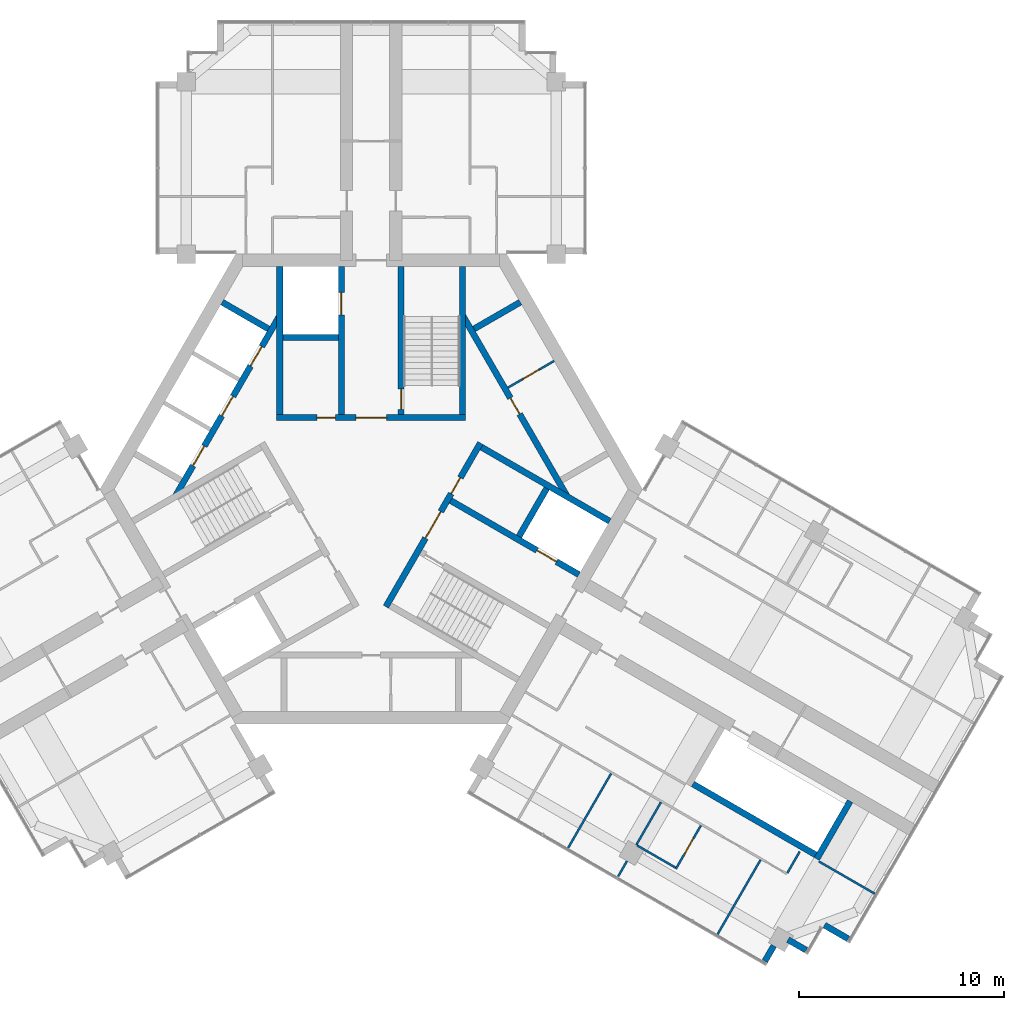
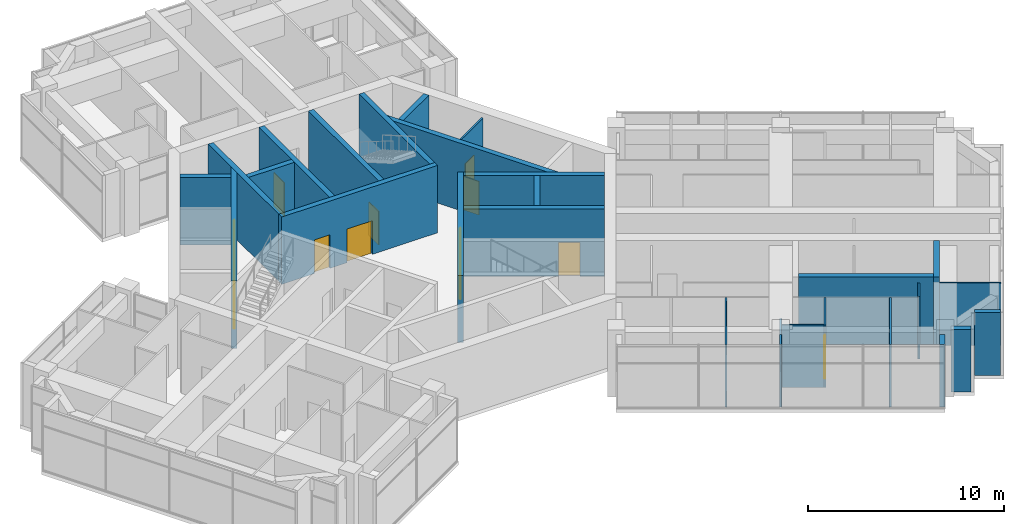
# One storey, part 10 of 14: 28 walls, 13 doors, 13 openings.
"""IFC4 building model written with IfcOpenShell, lengths in metres."""

from ifc_helpers import new_model, si_unit, direction, frame, frame_2d, origin, place, context, subcontext, project, spatial, rectangle, extrude, material, layer, layer_set, type_object, element, fill, save


model = new_model("IFC4")

# Units and contexts
model_context = context("Model", 3, precision=1e-05, world=origin(), true_north=direction((0.0, 1.0)))
body_context = subcontext(model_context, "Body", "Model", "MODEL_VIEW")
ifc_project = project(units=[si_unit("LENGTHUNIT", "METRE"), si_unit("AREAUNIT", "SQUARE_METRE"), si_unit("VOLUMEUNIT", "CUBIC_METRE"), si_unit("PLANEANGLEUNIT", "RADIAN"), si_unit("MASSUNIT", "GRAM", prefix="KILO")], contexts=[model_context])

# Site, building, storey
site_placement = place(None, origin())
site = spatial("IfcSite", under=ifc_project, at=site_placement, CompositionType="ELEMENT")
building_placement = place(site_placement, origin())
building = spatial("IfcBuilding", under=site, at=building_placement, Name="Impinga Residences", CompositionType="ELEMENT")
storey_placement = place(building_placement, frame((0.0, 0.0, 291.550048828125)))
storey = spatial("IfcBuildingStorey", under=building, at=storey_placement, Name="L73", CompositionType="ELEMENT", Elevation=291.550048828125)

# Wall, opening, door
ifc_material_1 = material(Name="Concrete blockwork", Category="masonry")
ifc_layer_1 = layer(ifc_material_1, 0.10009765625)
ifc_layer_set_1 = layer_set([ifc_layer_1], Name="CP1 core room partition, blockwork 100")
wall_type_1 = type_object("IfcWallType", Name="CP1 core room partition, blockwork 100", PredefinedType="PARTITIONING", material=ifc_layer_set_1)
wall_1_placement = place(storey_placement, frame((6.65380859375, 4.9384765625, 0.0), z_axis=(0.0, 0.0, 1.0), x_axis=(0.865997922154, 0.500047596559, 0.0)))
wall_1 = element("IfcWall", 1, at=wall_1_placement, inside=storey, type_object=wall_type_1, Name="Core room partition, blockwork L73:CORE:mid:ZP1", PredefinedType="PARTITIONING", context=body_context, shape_type="SweptSolid", body=[
    extrude(rectangle(XDim=2.599853515625, YDim=0.10009765625, at=frame_2d((1.2998046875, 0.0))), origin(), (0.0, 0.0, 1.0), 3.89990234375),
])
opening_1_placement = place(wall_1_placement, frame((0.85009765625, 0.0, 0.0)))
opening_1 = element("IfcOpeningElement", 2, at=opening_1_placement, cuts=wall_1, Name="Opening D6", PredefinedType="OPENING", context=body_context, shape_type="SweptSolid", body=[
    extrude(rectangle(XDim=0.89990234375, YDim=2.10009765625, at=frame_2d((0.449951171875, 1.050048828125))), frame((0.0, 0.06005859375, 0.0), z_axis=(0.0, -1.0, 0.0), x_axis=(1.0, 0.0, 0.0)), (0.0, 0.0, 1.0), 0.1201171875),
])
ifc_material_2 = material(Name="Timber door set", Category="wood")
door_type_1 = type_object("IfcDoorType", Name="D6 riser and store door 900x2100", OperationType="SINGLE_SWING_LEFT", PredefinedType="DOOR", material=ifc_material_2)
door_1_placement = place(opening_1_placement, origin())
door_1 = element("IfcDoor", 3, at=door_1_placement, inside=storey, type_object=door_type_1, Name="Cleaners' store door", OperationType="SINGLE_SWING_LEFT", OverallHeight=2.10009765625, OverallWidth=0.89990234375, PredefinedType="DOOR", context=body_context, shape_type="SweptSolid", body=[
    extrude(rectangle(XDim=0.89990234375, YDim=2.10009765625, at=frame_2d((0.449951171875, 1.050048828125))), frame((0.0, 0.02490234375, 0.0), z_axis=(0.0, -1.0, 0.0), x_axis=(1.0, 0.0, 0.0)), (0.0, 0.0, 1.0), 0.050048828125),
])
fill(opening_1, door_1)

# Walls
ifc_material_3 = material(Name="Stone facing on blockwork", Category="masonry")
ifc_layer_2 = layer(ifc_material_3, 0.300048828125)
ifc_layer_set_2 = layer_set([ifc_layer_2], Name="EW2 external wall, stone facing on blockwork 300")
wall_type_2 = type_object("IfcWallType", Name="EW2 external wall, stone facing on blockwork 300", PredefinedType="SOLIDWALL", material=ifc_layer_set_2)
wall_2_placement = place(storey_placement, frame((23.212158203125, -21.888671875, 0.0), z_axis=(0.0, 0.0, 1.0), x_axis=(-0.866020521143, 0.500008456887, 0.0)))
element("IfcWall", 4, at=wall_2_placement, inside=storey, type_object=wall_type_2, Name="External wall EW2 L73", PredefinedType="SOLIDWALL", context=body_context, shape_type="SweptSolid", body=[
    extrude(rectangle(XDim=1.330078125, YDim=0.300048828125, at=frame_2d((0.6650390625, 0.0))), origin(), (0.0, 0.0, 1.0), 3.89990234375),
])
wall_3_placement = place(storey_placement, frame((21.1630859375, -22.4375, 0.0), z_axis=(0.0, 0.0, 1.0), x_axis=(-0.866133525259, 0.499812681335, 0.0)))
element("IfcWall", 5, at=wall_3_placement, inside=storey, type_object=wall_type_2, Name="External wall EW2 L73", PredefinedType="SOLIDWALL", context=body_context, shape_type="SweptSolid", body=[
    extrude(rectangle(XDim=1.01513671875, YDim=0.300048828125, at=frame_2d((0.507568359375, 0.0))), origin(), (0.0, 0.0, 1.0), 3.89990234375),
])
wall_4_placement = place(storey_placement, frame((19.5927734375, -22.227294921875, 0.0), z_axis=(0.0, 0.0, 1.0), x_axis=(-0.499885902046, -0.866091268248, 0.0)))
element("IfcWall", 6, at=wall_4_placement, inside=storey, type_object=wall_type_2, Name="External wall EW2 L73", PredefinedType="SOLIDWALL", context=body_context, shape_type="SweptSolid", body=[
    extrude(rectangle(XDim=0.862060546875, YDim=0.300048828125, at=frame_2d((0.43115234375, 0.0))), origin(), (0.0, 0.0, 1.0), 3.89990234375),
])
ifc_material_4 = material(Name="Gypsum board on steel studs", Category="steel")
ifc_layer_3 = layer(ifc_material_4, 0.10009765625)
ifc_layer_set_3 = layer_set([ifc_layer_3], Name="Gypsum board on steel studs")
wall_type_3 = type_object("IfcWallType", Name="IP1 partition 100", PredefinedType="PARTITIONING", material=ifc_layer_set_3)
wall_5_placement = place(storey_placement, frame((21.789306640625, -18.122802734375, 0.0), z_axis=(0.0, 0.0, 1.0), x_axis=(0.8660508054, -0.499956000529, 0.0)))
element("IfcWall", 7, at=wall_5_placement, inside=storey, type_object=wall_type_3, Name="Partition L73-EF1:DIV2", PredefinedType="PARTITIONING", context=body_context, shape_type="SweptSolid", body=[
    extrude(rectangle(XDim=3.136962890625, YDim=0.10009765625, at=frame_2d((1.568359375, 0.0))), origin(), (0.0, 0.0, 1.0), 3.89990234375),
])
wall_6_placement = place(storey_placement, frame((20.85498046875, -17.640869140625, 0.0), z_axis=(0.0, 0.0, 1.0), x_axis=(-0.499880961361, -0.866094119867, 0.0)))
element("IfcWall", 8, at=wall_6_placement, inside=storey, type_object=wall_type_3, Name="Partition L73-EF1:SE1", PredefinedType="PARTITIONING", context=body_context, shape_type="SweptSolid", body=[
    extrude(rectangle(XDim=1.199951171875, YDim=0.10009765625, at=frame_2d((0.60009765625, 0.0))), origin(), (0.0, 0.0, 1.0), 3.89990234375),
])
wall_7_placement = place(storey_placement, frame((11.6748046875, -13.841796875, 0.0), z_axis=(0.0, 0.0, 1.0), x_axis=(-0.500008475426, -0.86602051044, 0.0)))
element("IfcWall", 9, at=wall_7_placement, inside=storey, type_object=wall_type_3, Name="Partition L73-EF1:OB2", PredefinedType="PARTITIONING", context=body_context, shape_type="SweptSolid", body=[
    extrude(rectangle(XDim=4.18701171875, YDim=0.10009765625, at=frame_2d((2.093505859375, 0.0))), origin(), (0.0, 0.0, 1.0), 3.89990234375),
])
wall_8_placement = place(storey_placement, frame((14.099609375, -15.241943359375, 0.0), z_axis=(0.0, 0.0, 1.0), x_axis=(-0.500001309137, -0.866024647952, 0.0)))
element("IfcWall", 10, at=wall_8_placement, inside=storey, type_object=wall_type_3, Name="Partition L73-EF1:OB3", PredefinedType="PARTITIONING", context=body_context, shape_type="SweptSolid", body=[
    extrude(rectangle(XDim=2.39990234375, YDim=0.10009765625, at=frame_2d((1.199951171875, 0.0))), origin(), (0.0, 0.0, 1.0), 2.599853515625),
])
wall_9_placement = place(storey_placement, frame((12.44970703125, -18.099609375, 0.0), z_axis=(0.0, 0.0, 1.0), x_axis=(-0.500014901547, -0.866016800201, 0.0)))
element("IfcWall", 11, at=wall_9_placement, inside=storey, type_object=wall_type_3, Name="Partition L73-EF1:OB3b", PredefinedType="PARTITIONING", context=body_context, shape_type="SweptSolid", body=[
    extrude(rectangle(XDim=0.8671875, YDim=0.10009765625, at=frame_2d((0.43359375, 0.0))), origin(), (0.0, 0.0, 1.0), 3.89990234375),
])
wall_10_placement = place(storey_placement, frame((18.949462890625, -18.041748046875, 0.0), z_axis=(0.0, 0.0, 1.0), x_axis=(-0.499983227221, -0.866035087336, 0.0)))
element("IfcWall", 12, at=wall_10_placement, inside=storey, type_object=wall_type_3, Name="Partition L73-EF1:OB4", PredefinedType="PARTITIONING", context=body_context, shape_type="SweptSolid", body=[
    extrude(rectangle(XDim=4.187255859375, YDim=0.10009765625, at=frame_2d((2.09375, 0.0))), origin(), (0.0, 0.0, 1.0), 3.89990234375),
])

# Wall, opening, door
wall_11_placement = place(storey_placement, frame((16.048095703125, -16.366943359375, 0.0), z_axis=(0.0, 0.0, 1.0), x_axis=(-0.499987006516, -0.866032905446, 0.0)))
wall_11 = element("IfcWall", 13, at=wall_11_placement, inside=storey, type_object=wall_type_3, Name="Partition L73-EF1:EN1", PredefinedType="PARTITIONING", context=body_context, shape_type="SweptSolid", body=[
    extrude(rectangle(XDim=2.44970703125, YDim=0.10009765625, at=frame_2d((1.224853515625, 0.0))), origin(), (0.0, 0.0, 1.0), 3.89990234375),
])
opening_2_placement = place(wall_11_placement, frame((0.75, 0.0, 0.0)))
opening_2 = element("IfcOpeningElement", 14, at=opening_2_placement, cuts=wall_11, Name="Opening D2", PredefinedType="OPENING", context=body_context, shape_type="SweptSolid", body=[
    extrude(rectangle(XDim=0.89990234375, YDim=2.10009765625, at=frame_2d((0.449951171875, 1.050048828125))), frame((0.0, 0.06005859375, 0.0), z_axis=(0.0, -1.0, 0.0), x_axis=(1.0, 0.0, 0.0)), (0.0, 0.0, 1.0), 0.1201171875),
])
door_type_2 = type_object("IfcDoorType", Name="D2 internal door 900x2100", OperationType="SINGLE_SWING_LEFT", PredefinedType="DOOR", material=ifc_material_2)
door_2_placement = place(opening_2_placement, origin())
door_2 = element("IfcDoor", 15, at=door_2_placement, inside=storey, type_object=door_type_2, Name="Apartment L73-EF1 en-suite door", OperationType="SINGLE_SWING_LEFT", OverallHeight=2.10009765625, OverallWidth=0.89990234375, PredefinedType="DOOR", context=body_context, shape_type="SweptSolid", body=[
    extrude(rectangle(XDim=0.89990234375, YDim=2.10009765625, at=frame_2d((0.449951171875, 1.050048828125))), frame((0.0, 0.02490234375, 0.0), z_axis=(0.0, -1.0, 0.0), x_axis=(1.0, 0.0, 0.0)), (0.0, 0.0, 1.0), 0.050048828125),
])
fill(opening_2, door_2)

# Walls
wall_12_placement = place(storey_placement, frame((12.94287109375, -17.34521484375, 0.0), z_axis=(0.0, 0.0, 1.0), x_axis=(0.866047553582, -0.499961633463, 0.0)))
element("IfcWall", 16, at=wall_12_placement, inside=storey, type_object=wall_type_3, Name="Partition L73-EF1:EN2", PredefinedType="PARTITIONING", context=body_context, shape_type="SweptSolid", body=[
    extrude(rectangle(XDim=2.150146484375, YDim=0.10009765625, at=frame_2d((1.0751953125, 0.0))), origin(), (0.0, 0.0, 1.0), 3.89990234375),
])
ifc_material_5 = material(Name="Concrete C60/75", Category="concrete")
ifc_layer_4 = layer(ifc_material_5, 0.300048828125)
ifc_layer_set_4 = layer_set([ifc_layer_4], Name="Concrete C60/75")
wall_type_4 = type_object("IfcWallType", Name="SE1 wing stair enclosure wall 300", PredefinedType="SOLIDWALL", material=ifc_layer_set_4)
wall_13_placement = place(storey_placement, frame((23.3095703125, -15.189697265625, 0.0), z_axis=(0.0, 0.0, 1.0), x_axis=(-0.499984717929, -0.866034226713, 0.0)))
element("IfcWall", 17, at=wall_13_placement, inside=storey, type_object=wall_type_4, Name="Stair enclosure wall SE1 E END1 L73", PredefinedType="SOLIDWALL", context=body_context, shape_type="SweptSolid", body=[
    extrude(rectangle(XDim=3.25, YDim=0.300048828125, at=frame_2d((1.625, 0.0))), origin(), (0.0, 0.0, 1.0), 4.199951171875),
])
wall_14_placement = place(storey_placement, frame((15.654052734375, -14.349365234375, 0.0), z_axis=(0.0, 0.0, 1.0), x_axis=(0.866013532718, -0.500020560727, 0.0)))
element("IfcWall", 18, at=wall_14_placement, inside=storey, type_object=wall_type_4, Name="Stair enclosure wall SE1 E OUT L73", PredefinedType="SOLIDWALL", context=body_context, shape_type="SweptSolid", body=[
    extrude(rectangle(XDim=6.900146484375, YDim=0.300048828125, at=frame_2d((3.4501953125, 0.0))), origin(), (0.0, 0.0, 1.0), 4.199951171875),
])

# Wall, openings, doors
ifc_material_6 = material(Name="Concrete C70/85", Category="concrete")
ifc_layer_5 = layer(ifc_material_6, 0.300048828125)
ifc_layer_set_5 = layer_set([ifc_layer_5], Name="Concrete C70/85")
wall_type_5 = type_object("IfcWallType", Name="SW5 core inner wall, stairs, shafts and lobbies 300", PredefinedType="SHEAR", material=ifc_layer_set_5)
wall_15_placement = place(storey_placement, frame((-4.60009765625, 3.47998046875, 0.0), z_axis=(0.0, 0.0, 1.0), x_axis=(1.0, 0.0, 0.0)))
wall_15 = element("IfcWall", 19, at=wall_15_placement, inside=storey, type_object=wall_type_5, Name="Core wall SW5 N:ZONE L73", PredefinedType="SHEAR", context=body_context, shape_type="SweptSolid", body=[
    extrude(rectangle(XDim=9.2001953125, YDim=0.300048828125, at=frame_2d((4.60009765625, 0.0))), origin(), (0.0, 0.0, 1.0), 4.199951171875),
])
opening_3_placement = place(wall_15_placement, frame((3.85009765625, 0.0, 0.0)))
opening_3 = element("IfcOpeningElement", 20, at=opening_3_placement, cuts=wall_15, Name="Opening D4", PredefinedType="OPENING", context=body_context, shape_type="SweptSolid", body=[
    extrude(rectangle(XDim=1.5, YDim=2.10009765625, at=frame_2d((0.75, 1.050048828125))), frame((0.0, 0.159912109375, 0.0), z_axis=(0.0, -1.0, 0.0), x_axis=(1.0, 0.0, 0.0)), (0.0, 0.0, 1.0), 0.320068359375),
])
opening_4_placement = place(wall_15_placement, frame((1.949951171875, 0.0, 0.0)))
opening_4 = element("IfcOpeningElement", 21, at=opening_4_placement, cuts=wall_15, Name="Opening D6", PredefinedType="OPENING", context=body_context, shape_type="SweptSolid", body=[
    extrude(rectangle(XDim=0.89990234375, YDim=2.10009765625, at=frame_2d((0.449951171875, 1.050048828125))), frame((0.0, 0.159912109375, 0.0), z_axis=(0.0, -1.0, 0.0), x_axis=(1.0, 0.0, 0.0)), (0.0, 0.0, 1.0), 0.320068359375),
])
door_type_3 = type_object("IfcDoorType", Name="D4 lobby door pair 1500x2100", OperationType="DOUBLE_DOOR_DOUBLE_SWING", PredefinedType="DOOR", material=ifc_material_2)
door_3_placement = place(opening_3_placement, origin())
door_3 = element("IfcDoor", 22, at=door_3_placement, inside=storey, type_object=door_type_3, Name="Firefighting lobby door N", OperationType="DOUBLE_DOOR_DOUBLE_SWING", OverallHeight=2.10009765625, OverallWidth=1.5, PredefinedType="DOOR", context=body_context, shape_type="SweptSolid", body=[
    extrude(rectangle(XDim=1.5, YDim=2.10009765625, at=frame_2d((0.75, 1.050048828125))), frame((0.0, 0.02490234375, 0.0), z_axis=(0.0, -1.0, 0.0), x_axis=(1.0, 0.0, 0.0)), (0.0, 0.0, 1.0), 0.050048828125),
])
fill(opening_3, door_3)
door_4_placement = place(opening_4_placement, origin())
door_4 = element("IfcDoor", 23, at=door_4_placement, inside=storey, type_object=door_type_1, Name="Riser door N", OperationType="SINGLE_SWING_LEFT", OverallHeight=2.10009765625, OverallWidth=0.89990234375, PredefinedType="DOOR", context=body_context, shape_type="SweptSolid", body=[
    extrude(rectangle(XDim=0.89990234375, YDim=2.10009765625, at=frame_2d((0.449951171875, 1.050048828125))), frame((0.0, 0.02490234375, 0.0), z_axis=(0.0, -1.0, 0.0), x_axis=(1.0, 0.0, 0.0)), (0.0, 0.0, 1.0), 0.050048828125),
])
fill(opening_4, door_4)

# Wall, opening, door
wall_16_placement = place(storey_placement, frame((1.449951171875, 3.6298828125, 0.0), z_axis=(0.0, 0.0, 1.0), x_axis=(0.0, 1.0, 0.0)))
wall_16 = element("IfcWall", 24, at=wall_16_placement, inside=storey, type_object=wall_type_5, Name="Core wall SW5 N:ST-IN L73", PredefinedType="SHEAR", context=body_context, shape_type="SweptSolid", body=[
    extrude(rectangle(XDim=7.20166015625, YDim=0.300048828125, at=frame_2d((3.600830078125, 0.0))), origin(), (0.0, 0.0, 1.0), 4.199951171875),
])
opening_5_placement = place(wall_16_placement, frame((0.25, 0.0, 0.0)))
opening_5 = element("IfcOpeningElement", 25, at=opening_5_placement, cuts=wall_16, Name="Opening D5", PredefinedType="OPENING", context=body_context, shape_type="SweptSolid", body=[
    extrude(rectangle(XDim=1.0, YDim=2.10009765625, at=frame_2d((0.5, 1.050048828125))), frame((0.0, 0.159912109375, 0.0), z_axis=(0.0, -1.0, 0.0), x_axis=(1.0, 0.0, 0.0)), (0.0, 0.0, 1.0), 0.320068359375),
])
door_type_4 = type_object("IfcDoorType", Name="D5 stair door 1000x2100", OperationType="SINGLE_SWING_LEFT", PredefinedType="DOOR", material=ifc_material_2)
door_5_placement = place(opening_5_placement, origin())
door_5 = element("IfcDoor", 26, at=door_5_placement, inside=storey, type_object=door_type_4, Name="Stair door N", OperationType="SINGLE_SWING_LEFT", OverallHeight=2.10009765625, OverallWidth=1.0, PredefinedType="DOOR", context=body_context, shape_type="SweptSolid", body=[
    extrude(rectangle(XDim=1.0, YDim=2.10009765625, at=frame_2d((0.5, 1.050048828125))), frame((0.0, 0.02490234375, 0.0), z_axis=(0.0, -1.0, 0.0), x_axis=(1.0, 0.0, 0.0)), (0.0, 0.0, 1.0), 0.050048828125),
])
fill(opening_5, door_5)

# Wall
wall_17_placement = place(storey_placement, frame((4.449951171875, 3.6298828125, 0.0), z_axis=(0.0, 0.0, 1.0), x_axis=(0.0, 1.0, 0.0)))
element("IfcWall", 27, at=wall_17_placement, inside=storey, type_object=wall_type_5, Name="Core wall SW5 N:ST-OUT L73", PredefinedType="SHEAR", context=body_context, shape_type="SweptSolid", body=[
    extrude(rectangle(XDim=7.20166015625, YDim=0.300048828125, at=frame_2d((3.600830078125, 0.0))), origin(), (0.0, 0.0, 1.0), 4.199951171875),
])

# Wall, opening, door
wall_18_placement = place(storey_placement, frame((-1.449951171875, 3.6298828125, 0.0), z_axis=(0.0, 0.0, 1.0), x_axis=(0.0, 1.0, 0.0)))
wall_18 = element("IfcWall", 28, at=wall_18_placement, inside=storey, type_object=wall_type_5, Name="Core wall SW5 N:FF-IN L73", PredefinedType="SHEAR", context=body_context, shape_type="SweptSolid", body=[
    extrude(rectangle(XDim=7.20166015625, YDim=0.300048828125, at=frame_2d((3.600830078125, 0.0))), origin(), (0.0, 0.0, 1.0), 4.199951171875),
])
opening_6_placement = place(wall_18_placement, frame((4.85009765625, 0.0, 0.0)))
opening_6 = element("IfcOpeningElement", 29, at=opening_6_placement, cuts=wall_18, Name="Opening LD2", PredefinedType="OPENING", context=body_context, shape_type="SweptSolid", body=[
    extrude(rectangle(XDim=1.10009765625, YDim=2.10009765625, at=frame_2d((0.550048828125, 1.050048828125))), frame((0.0, 0.159912109375, 0.0), z_axis=(0.0, -1.0, 0.0), x_axis=(1.0, 0.0, 0.0)), (0.0, 0.0, 1.0), 0.320068359375),
])
ifc_material_7 = material(Name="Steel lift landing door", Category="steel")
door_type_5 = type_object("IfcDoorType", Name="LD2 firefighting lift landing door 1100x2100", OperationType="DOUBLE_DOOR_SLIDING", PredefinedType="DOOR", material=ifc_material_7)
door_6_placement = place(opening_6_placement, origin())
door_6 = element("IfcDoor", 30, at=door_6_placement, inside=storey, type_object=door_type_5, Name="Firefighting lift landing door F1", OperationType="DOUBLE_DOOR_SLIDING", OverallHeight=2.10009765625, OverallWidth=1.10009765625, PredefinedType="DOOR", context=body_context, shape_type="SweptSolid", body=[
    extrude(rectangle(XDim=1.10009765625, YDim=2.10009765625, at=frame_2d((0.550048828125, 1.050048828125))), frame((0.0, 0.02490234375, 0.0), z_axis=(0.0, -1.0, 0.0), x_axis=(1.0, 0.0, 0.0)), (0.0, 0.0, 1.0), 0.050048828125),
])
fill(opening_6, door_6)

# Walls
wall_19_placement = place(storey_placement, frame((-4.449951171875, 3.6298828125, 0.0), z_axis=(0.0, 0.0, 1.0), x_axis=(0.0, 1.0, 0.0)))
element("IfcWall", 31, at=wall_19_placement, inside=storey, type_object=wall_type_5, Name="Core wall SW5 N:FF-OUT L73", PredefinedType="SHEAR", context=body_context, shape_type="SweptSolid", body=[
    extrude(rectangle(XDim=7.20166015625, YDim=0.300048828125, at=frame_2d((3.600830078125, 0.0))), origin(), (0.0, 0.0, 1.0), 4.199951171875),
])
wall_20_placement = place(storey_placement, frame((-4.300048828125, 7.3798828125, 0.0), z_axis=(0.0, 0.0, 1.0), x_axis=(1.0, 0.0, 0.0)))
element("IfcWall", 32, at=wall_20_placement, inside=storey, type_object=wall_type_5, Name="Core wall SW5 N:FF-RS L73", PredefinedType="SHEAR", context=body_context, shape_type="SweptSolid", body=[
    extrude(rectangle(XDim=2.699951171875, YDim=0.300048828125, at=frame_2d((1.35009765625, 0.0))), origin(), (0.0, 0.0, 1.0), 4.199951171875),
])

# Wall, openings, doors
wall_21_placement = place(storey_placement, frame((5.313720703125, 2.24365234375, 0.0), z_axis=(0.0, 0.0, 1.0), x_axis=(-0.499995050369, -0.866028261437, 0.0)))
wall_21 = element("IfcWall", 33, at=wall_21_placement, inside=storey, type_object=wall_type_5, Name="Core wall SW5 E:ZONE L73", PredefinedType="SHEAR", context=body_context, shape_type="SweptSolid", body=[
    extrude(rectangle(XDim=9.19970703125, YDim=0.300048828125, at=frame_2d((4.599853515625, 0.0))), origin(), (0.0, 0.0, 1.0), 4.199951171875),
])
opening_7_placement = place(wall_21_placement, frame((3.85009765625, 0.0, 0.0)))
opening_7 = element("IfcOpeningElement", 34, at=opening_7_placement, cuts=wall_21, Name="Opening D4", PredefinedType="OPENING", context=body_context, shape_type="SweptSolid", body=[
    extrude(rectangle(XDim=1.5, YDim=2.10009765625, at=frame_2d((0.75, 1.050048828125))), frame((0.0, 0.159912109375, 0.0), z_axis=(0.0, -1.0, 0.0), x_axis=(1.0, 0.0, 0.0)), (0.0, 0.0, 1.0), 0.320068359375),
])
opening_8_placement = place(wall_21_placement, frame((1.949951171875, 0.0, 0.0)))
opening_8 = element("IfcOpeningElement", 35, at=opening_8_placement, cuts=wall_21, Name="Opening D6", PredefinedType="OPENING", context=body_context, shape_type="SweptSolid", body=[
    extrude(rectangle(XDim=0.89990234375, YDim=2.10009765625, at=frame_2d((0.449951171875, 1.050048828125))), frame((0.0, 0.159912109375, 0.0), z_axis=(0.0, -1.0, 0.0), x_axis=(1.0, 0.0, 0.0)), (0.0, 0.0, 1.0), 0.320068359375),
])
door_7_placement = place(opening_7_placement, origin())
door_7 = element("IfcDoor", 36, at=door_7_placement, inside=storey, type_object=door_type_3, Name="Firefighting lobby door E", OperationType="DOUBLE_DOOR_DOUBLE_SWING", OverallHeight=2.10009765625, OverallWidth=1.5, PredefinedType="DOOR", context=body_context, shape_type="SweptSolid", body=[
    extrude(rectangle(XDim=1.5, YDim=2.10009765625, at=frame_2d((0.75, 1.050048828125))), frame((0.0, 0.02490234375, 0.0), z_axis=(0.0, -1.0, 0.0), x_axis=(1.0, 0.0, 0.0)), (0.0, 0.0, 1.0), 0.050048828125),
])
fill(opening_7, door_7)
door_8_placement = place(opening_8_placement, origin())
door_8 = element("IfcDoor", 37, at=door_8_placement, inside=storey, type_object=door_type_1, Name="Riser door E", OperationType="SINGLE_SWING_LEFT", OverallHeight=2.10009765625, OverallWidth=0.89990234375, PredefinedType="DOOR", context=body_context, shape_type="SweptSolid", body=[
    extrude(rectangle(XDim=0.89990234375, YDim=2.10009765625, at=frame_2d((0.449951171875, 1.050048828125))), frame((0.0, 0.02490234375, 0.0), z_axis=(0.0, -1.0, 0.0), x_axis=(1.0, 0.0, 0.0)), (0.0, 0.0, 1.0), 0.050048828125),
])
fill(opening_8, door_8)

# Wall, opening, door
wall_22_placement = place(storey_placement, frame((3.86865234375, -0.559326171875, 0.0), z_axis=(0.0, 0.0, 1.0), x_axis=(0.866039935929, -0.499974828743, 0.0)))
wall_22 = element("IfcWall", 38, at=wall_22_placement, inside=storey, type_object=wall_type_5, Name="Core wall SW5 E:FF-IN L73", PredefinedType="SHEAR", context=body_context, shape_type="SweptSolid", body=[
    extrude(rectangle(XDim=7.201416015625, YDim=0.300048828125, at=frame_2d((3.6005859375, 0.0))), origin(), (0.0, 0.0, 1.0), 4.199951171875),
])
opening_9_placement = place(wall_22_placement, frame((4.85009765625, 0.0, 0.0)))
opening_9 = element("IfcOpeningElement", 39, at=opening_9_placement, cuts=wall_22, Name="Opening LD2", PredefinedType="OPENING", context=body_context, shape_type="SweptSolid", body=[
    extrude(rectangle(XDim=1.10009765625, YDim=2.10009765625, at=frame_2d((0.550048828125, 1.050048828125))), frame((0.0, 0.159912109375, 0.0), z_axis=(0.0, -1.0, 0.0), x_axis=(1.0, 0.0, 0.0)), (0.0, 0.0, 1.0), 0.320068359375),
])
door_9_placement = place(opening_9_placement, origin())
door_9 = element("IfcDoor", 40, at=door_9_placement, inside=storey, type_object=door_type_5, Name="Firefighting lift landing door F3", OperationType="DOUBLE_DOOR_SLIDING", OverallHeight=2.10009765625, OverallWidth=1.10009765625, PredefinedType="DOOR", context=body_context, shape_type="SweptSolid", body=[
    extrude(rectangle(XDim=1.10009765625, YDim=2.10009765625, at=frame_2d((0.550048828125, 1.050048828125))), frame((0.0, 0.02490234375, 0.0), z_axis=(0.0, -1.0, 0.0), x_axis=(1.0, 0.0, 0.0)), (0.0, 0.0, 1.0), 0.050048828125),
])
fill(opening_9, door_9)

# Walls
wall_23_placement = place(storey_placement, frame((5.36865234375, 2.038818359375, 0.0), z_axis=(0.0, 0.0, 1.0), x_axis=(0.866025256649, -0.500000254847, 0.0)))
element("IfcWall", 41, at=wall_23_placement, inside=storey, type_object=wall_type_5, Name="Core wall SW5 E:FF-OUT L73", PredefinedType="SHEAR", context=body_context, shape_type="SweptSolid", body=[
    extrude(rectangle(XDim=7.20166015625, YDim=0.300048828125, at=frame_2d((3.600830078125, 0.0))), origin(), (0.0, 0.0, 1.0), 4.199951171875),
])
wall_24_placement = place(storey_placement, frame((8.541259765625, 0.033935546875, 0.0), z_axis=(0.0, 0.0, 1.0), x_axis=(-0.50000943426, -0.866019956843, 0.0)))
element("IfcWall", 42, at=wall_24_placement, inside=storey, type_object=wall_type_5, Name="Core wall SW5 E:FF-RS L73", PredefinedType="SHEAR", context=body_context, shape_type="SweptSolid", body=[
    extrude(rectangle(XDim=2.7001953125, YDim=0.300048828125, at=frame_2d((1.35009765625, 0.0))), origin(), (0.0, 0.0, 1.0), 4.199951171875),
])

# Wall, opening, door
wall_25_placement = place(storey_placement, frame((4.449951171875, 8.455322265625, 0.0), z_axis=(0.0, 0.0, 1.0), x_axis=(0.500002290144, -0.866024081565, 0.0)))
wall_25 = element("IfcWall", 43, at=wall_25_placement, inside=storey, type_object=wall_type_5, Name="Core wall SW5 W:BANK-FRONT L73", PredefinedType="SHEAR", context=body_context, shape_type="SweptSolid", body=[
    extrude(rectangle(XDim=10.1953125, YDim=0.300048828125, at=frame_2d((5.09765625, 0.0))), origin(), (0.0, 0.0, 1.0), 4.199951171875),
])
opening_10_placement = place(wall_25_placement, frame((4.647705078125, 0.0, 0.0)))
opening_10 = element("IfcOpeningElement", 44, at=opening_10_placement, cuts=wall_25, Name="Opening D6", PredefinedType="OPENING", context=body_context, shape_type="SweptSolid", body=[
    extrude(rectangle(XDim=0.89990234375, YDim=2.10009765625, at=frame_2d((0.449951171875, 1.050048828125))), frame((0.0, 0.159912109375, 0.0), z_axis=(0.0, -1.0, 0.0), x_axis=(1.0, 0.0, 0.0)), (0.0, 0.0, 1.0), 0.320068359375),
])
door_10_placement = place(opening_10_placement, origin())
door_10 = element("IfcDoor", 45, at=door_10_placement, inside=storey, type_object=door_type_1, Name="Vending and ice room door", OperationType="SINGLE_SWING_RIGHT", OverallHeight=2.10009765625, OverallWidth=0.89990234375, PredefinedType="DOOR", context=body_context, shape_type="SweptSolid", body=[
    extrude(rectangle(XDim=0.89990234375, YDim=2.10009765625, at=frame_2d((0.449951171875, 1.050048828125))), frame((0.0, 0.02490234375, 0.0), z_axis=(0.0, -1.0, 0.0), x_axis=(1.0, 0.0, 0.0)), (0.0, 0.0, 1.0), 0.050048828125),
])
fill(opening_10, door_10)

# Wall
wall_26_placement = place(storey_placement, frame((5.003662109375, 7.79638671875, 0.0), z_axis=(0.0, 0.0, 1.0), x_axis=(0.866021400173, 0.500006934395, 0.0)))
element("IfcWall", 46, at=wall_26_placement, inside=storey, type_object=wall_type_5, Name="Core wall SW5 W:BANK-L L73", PredefinedType="SHEAR", context=body_context, shape_type="SweptSolid", body=[
    extrude(rectangle(XDim=2.60009765625, YDim=0.300048828125, at=frame_2d((1.300048828125, 0.0))), origin(), (0.0, 0.0, 1.0), 4.199951171875),
])

# Wall, openings, doors
wall_27_placement = place(storey_placement, frame((-9.547607421875, -0.3740234375, 0.0), z_axis=(0.0, 0.0, 1.0), x_axis=(0.500002290144, 0.866024081565, 0.0)))
wall_27 = element("IfcWall", 47, at=wall_27_placement, inside=storey, type_object=wall_type_5, Name="Core wall SW5 E:BANK-FRONT L73", PredefinedType="SHEAR", context=body_context, shape_type="SweptSolid", body=[
    extrude(rectangle(XDim=10.1953125, YDim=0.300048828125, at=frame_2d((5.09765625, 0.0))), origin(), (0.0, 0.0, 1.0), 4.199951171875),
])
opening_11_placement = place(wall_27_placement, frame((1.74755859375, 0.0, 0.0)))
opening_11 = element("IfcOpeningElement", 48, at=opening_11_placement, cuts=wall_27, Name="Opening LD1", PredefinedType="OPENING", context=body_context, shape_type="SweptSolid", body=[
    extrude(rectangle(XDim=1.10009765625, YDim=2.10009765625, at=frame_2d((0.550048828125, 1.050048828125))), frame((0.0, 0.159912109375, 0.0), z_axis=(0.0, -1.0, 0.0), x_axis=(1.0, 0.0, 0.0)), (0.0, 0.0, 1.0), 0.320068359375),
])
opening_12_placement = place(wall_27_placement, frame((4.547607421875, 0.0, 0.0)))
opening_12 = element("IfcOpeningElement", 49, at=opening_12_placement, cuts=wall_27, Name="Opening LD1", PredefinedType="OPENING", context=body_context, shape_type="SweptSolid", body=[
    extrude(rectangle(XDim=1.10009765625, YDim=2.10009765625, at=frame_2d((0.550048828125, 1.050048828125))), frame((0.0, 0.159912109375, 0.0), z_axis=(0.0, -1.0, 0.0), x_axis=(1.0, 0.0, 0.0)), (0.0, 0.0, 1.0), 0.320068359375),
])
opening_13_placement = place(wall_27_placement, frame((7.34765625, 0.0, 0.0)))
opening_13 = element("IfcOpeningElement", 50, at=opening_13_placement, cuts=wall_27, Name="Opening LD1", PredefinedType="OPENING", context=body_context, shape_type="SweptSolid", body=[
    extrude(rectangle(XDim=1.10009765625, YDim=2.10009765625, at=frame_2d((0.550048828125, 1.050048828125))), frame((0.0, 0.159912109375, 0.0), z_axis=(0.0, -1.0, 0.0), x_axis=(1.0, 0.0, 0.0)), (0.0, 0.0, 1.0), 0.320068359375),
])
door_type_6 = type_object("IfcDoorType", Name="LD1 passenger lift landing door 1100x2100", OperationType="DOUBLE_DOOR_SLIDING", PredefinedType="DOOR", material=ifc_material_7)
door_11_placement = place(opening_11_placement, origin())
door_11 = element("IfcDoor", 51, at=door_11_placement, inside=storey, type_object=door_type_6, Name="Lift landing door P7", OperationType="DOUBLE_DOOR_SLIDING", OverallHeight=2.10009765625, OverallWidth=1.10009765625, PredefinedType="DOOR", context=body_context, shape_type="SweptSolid", body=[
    extrude(rectangle(XDim=1.10009765625, YDim=2.10009765625, at=frame_2d((0.550048828125, 1.050048828125))), frame((0.0, 0.02490234375, 0.0), z_axis=(0.0, -1.0, 0.0), x_axis=(1.0, 0.0, 0.0)), (0.0, 0.0, 1.0), 0.050048828125),
])
fill(opening_11, door_11)
door_12_placement = place(opening_12_placement, origin())
door_12 = element("IfcDoor", 52, at=door_12_placement, inside=storey, type_object=door_type_6, Name="Lift landing door P8", OperationType="DOUBLE_DOOR_SLIDING", OverallHeight=2.10009765625, OverallWidth=1.10009765625, PredefinedType="DOOR", context=body_context, shape_type="SweptSolid", body=[
    extrude(rectangle(XDim=1.10009765625, YDim=2.10009765625, at=frame_2d((0.550048828125, 1.050048828125))), frame((0.0, 0.02490234375, 0.0), z_axis=(0.0, -1.0, 0.0), x_axis=(1.0, 0.0, 0.0)), (0.0, 0.0, 1.0), 0.050048828125),
])
fill(opening_12, door_12)
door_13_placement = place(opening_13_placement, origin())
door_13 = element("IfcDoor", 53, at=door_13_placement, inside=storey, type_object=door_type_6, Name="Lift landing door P9", OperationType="DOUBLE_DOOR_SLIDING", OverallHeight=2.10009765625, OverallWidth=1.10009765625, PredefinedType="DOOR", context=body_context, shape_type="SweptSolid", body=[
    extrude(rectangle(XDim=1.10009765625, YDim=2.10009765625, at=frame_2d((0.550048828125, 1.050048828125))), frame((0.0, 0.02490234375, 0.0), z_axis=(0.0, -1.0, 0.0), x_axis=(1.0, 0.0, 0.0)), (0.0, 0.0, 1.0), 0.050048828125),
])
fill(opening_13, door_13)

# Wall
wall_28_placement = place(storey_placement, frame((-5.003662109375, 7.79638671875, 0.0), z_axis=(0.0, 0.0, 1.0), x_axis=(-0.866021400173, 0.500006934395, 0.0)))
element("IfcWall", 54, at=wall_28_placement, inside=storey, type_object=wall_type_5, Name="Core wall SW5 E:BANK-R L73", PredefinedType="SHEAR", context=body_context, shape_type="SweptSolid", body=[
    extrude(rectangle(XDim=2.60009765625, YDim=0.300048828125, at=frame_2d((1.300048828125, 0.0))), origin(), (0.0, 0.0, 1.0), 4.199951171875),
])

save(model, "model.ifc")
